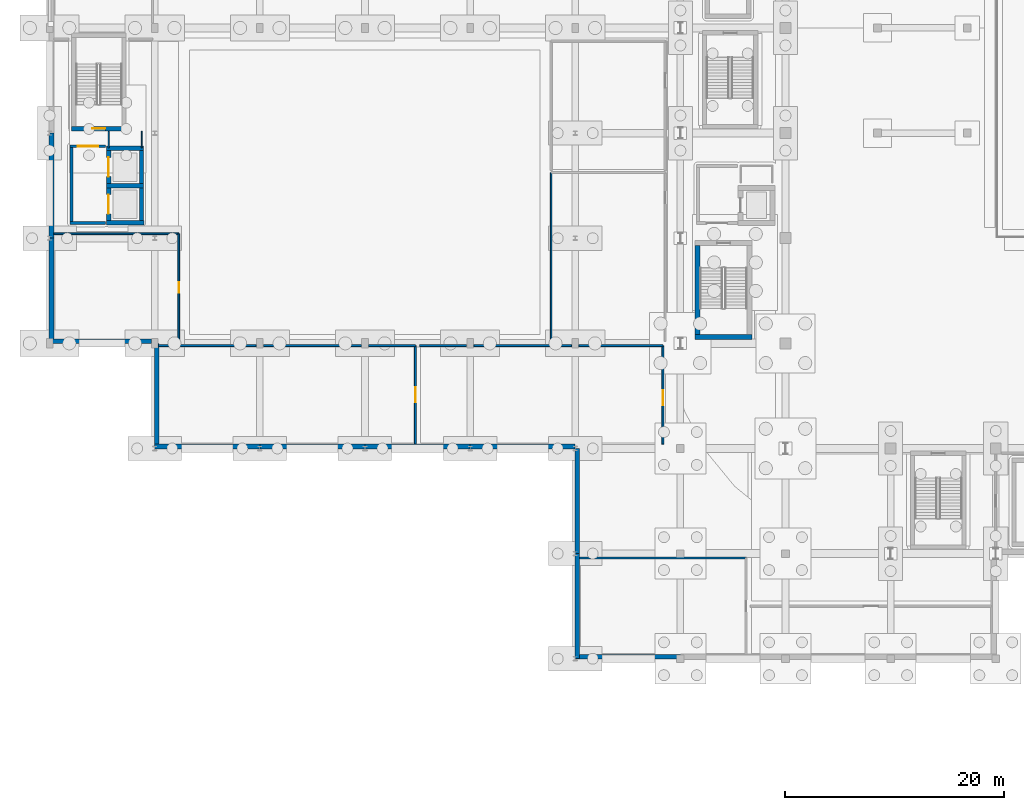
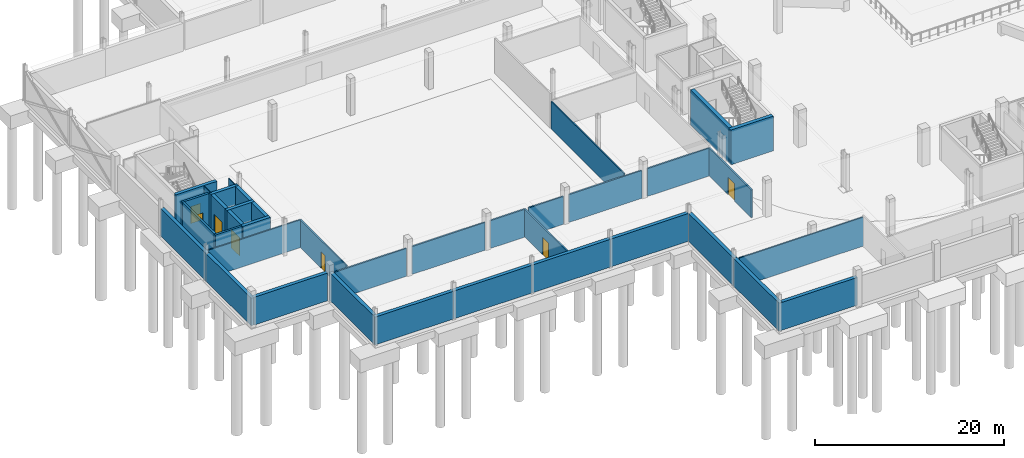
# One storey, part 26 of 67: 38 walls, 7 doors, 7 openings.
"""IFC4 building model written with IfcOpenShell, lengths in metres."""

from ifc_helpers import new_model, si_unit, direction, frame, frame_2d, origin, place, context, subcontext, project, spatial, rectangle, extrude, material, layer, layer_set, type_object, element, fill, save


model = new_model("IFC4")

# Units and contexts
model_context = context("Model", 3, precision=1e-05, world=origin(), true_north=direction((0.0, 1.0)))
body_context = subcontext(model_context, "Body", "Model", "MODEL_VIEW")
ifc_project = project(units=[si_unit("LENGTHUNIT", "METRE"), si_unit("AREAUNIT", "SQUARE_METRE"), si_unit("VOLUMEUNIT", "CUBIC_METRE"), si_unit("PLANEANGLEUNIT", "RADIAN"), si_unit("MASSUNIT", "GRAM", prefix="KILO")], contexts=[model_context])

# Site, building, storey
site_placement = place(None, origin())
site = spatial("IfcSite", under=ifc_project, at=site_placement, CompositionType="ELEMENT")
building_placement = place(site_placement, origin())
building = spatial("IfcBuilding", under=site, at=building_placement, Name="Caelomonte Colonnade Arena", CompositionType="ELEMENT")
storey_placement = place(building_placement, frame((0.0, 0.0, -4.800048828125)))
storey = spatial("IfcBuildingStorey", under=building, at=storey_placement, Name="B1", CompositionType="ELEMENT", Elevation=-4.800048828125)

# Walls
ifc_material_1 = material(Name="Concrete C40/50", Category="concrete")
ifc_layer_1 = layer(ifc_material_1, 0.419921875)
ifc_layer_set_1 = layer_set([ifc_layer_1], Name="Concrete C40/50")
wall_type_1 = type_object("IfcWallType", Name="ENV-WL-RET42", PredefinedType="USERDEFINED", material=ifc_layer_set_1)
wall_1_placement = place(storey_placement, frame((9.60009765625, 28.97998046875, 0.0), z_axis=(0.0, 0.0, 1.0), x_axis=(1.0, 0.0, 0.0)))
element("IfcWall", 1, at=wall_1_placement, inside=storey, type_object=wall_type_1, Name="B1 exterior retaining plinth wall EW-B1-0001", ObjectType="RETAINING WALL", PredefinedType="USERDEFINED", context=body_context, shape_type="SweptSolid", body=[
    extrude(rectangle(XDim=9.599853515625, YDim=0.419921875, at=frame_2d((4.7998046875, 0.0))), origin(), (0.0, 0.0, 1.0), 3.60009765625),
])
wall_2_placement = place(storey_placement, frame((19.199951171875, 28.97998046875, 0.0), z_axis=(0.0, 0.0, 1.0), x_axis=(1.0, 0.0, 0.0)))
element("IfcWall", 2, at=wall_2_placement, inside=storey, type_object=wall_type_1, Name="B1 exterior retaining plinth wall EW-B1-0002", ObjectType="RETAINING WALL", PredefinedType="USERDEFINED", context=body_context, shape_type="SweptSolid", body=[
    extrude(rectangle(XDim=9.60009765625, YDim=0.419921875, at=frame_2d((4.800048828125, 0.0))), origin(), (0.0, 0.0, 1.0), 3.60009765625),
])
wall_3_placement = place(storey_placement, frame((28.800048828125, 28.97998046875, 0.0), z_axis=(0.0, 0.0, 1.0), x_axis=(1.0, 0.0, 0.0)))
element("IfcWall", 3, at=wall_3_placement, inside=storey, type_object=wall_type_1, Name="B1 exterior retaining plinth wall EW-B1-0003", ObjectType="RETAINING WALL", PredefinedType="USERDEFINED", context=body_context, shape_type="SweptSolid", body=[
    extrude(rectangle(XDim=9.599853515625, YDim=0.419921875, at=frame_2d((4.7998046875, 0.0))), origin(), (0.0, 0.0, 1.0), 3.60009765625),
])
for number, where, z_axis, x_axis, name in (
    (4, (38.39990234375, 28.97998046875, 0.0), (0.0, 0.0, 1.0), (1.0, 0.0, 0.0), "B1 exterior retaining plinth wall EW-B1-0004"),
    (5, (48.179931640625, 28.800048828125, 0.0), (0.0, 0.0, 1.0), (0.0, -1.0, 0.0), "B1 exterior retaining plinth wall EW-B1-0005"),
):
    element("IfcWall", number, at=place(storey_placement, frame(where, z_axis=z_axis, x_axis=x_axis)), inside=storey, type_object=wall_type_1, Name=name, ObjectType="RETAINING WALL", PredefinedType="USERDEFINED", context=body_context, shape_type="SweptSolid", body=[
        extrude(rectangle(XDim=9.60009765625, YDim=0.419921875, at=frame_2d((4.800048828125, 0.0))), origin(), (0.0, 0.0, 1.0), 3.60009765625),
    ])
wall_4_placement = place(storey_placement, frame((48.179931640625, 19.199951171875, 0.0), z_axis=(0.0, 0.0, 1.0), x_axis=(0.0, -1.0, 0.0)))
element("IfcWall", 6, at=wall_4_placement, inside=storey, type_object=wall_type_1, Name="B1 exterior retaining plinth wall EW-B1-0006", ObjectType="RETAINING WALL", PredefinedType="USERDEFINED", context=body_context, shape_type="SweptSolid", body=[
    extrude(rectangle(XDim=9.599853515625, YDim=0.419921875, at=frame_2d((4.7998046875, 0.0))), origin(), (0.0, 0.0, 1.0), 3.60009765625),
])
wall_5_placement = place(storey_placement, frame((48.0, 9.780029296875, 0.0), z_axis=(0.0, 0.0, 1.0), x_axis=(1.0, 0.0, 0.0)))
element("IfcWall", 7, at=wall_5_placement, inside=storey, type_object=wall_type_1, Name="B1 exterior retaining plinth wall EW-B1-0007", ObjectType="RETAINING WALL", PredefinedType="USERDEFINED", context=body_context, shape_type="SweptSolid", body=[
    extrude(rectangle(XDim=9.60009765625, YDim=0.419921875, at=frame_2d((4.800048828125, 0.0))), origin(), (0.0, 0.0, 1.0), 3.60009765625),
])
for number, where, z_axis, x_axis, name in (
    (8, (0.179931640625, 57.60009765625, 0.0), (0.0, 0.0, 1.0), (0.0, -1.0, 0.0), "B1 exterior retaining plinth wall EW-B1-0082"),
    (9, (0.179931640625, 48.0, 0.0), (0.0, 0.0, 1.0), (0.0, -1.0, 0.0), "B1 exterior retaining plinth wall EW-B1-0083"),
):
    element("IfcWall", number, at=place(storey_placement, frame(where, z_axis=z_axis, x_axis=x_axis)), inside=storey, type_object=wall_type_1, Name=name, ObjectType="RETAINING WALL", PredefinedType="USERDEFINED", context=body_context, shape_type="SweptSolid", body=[
        extrude(rectangle(XDim=9.60009765625, YDim=0.419921875, at=frame_2d((4.800048828125, 0.0))), origin(), (0.0, 0.0, 1.0), 3.572998046875),
    ])
wall_6_placement = place(storey_placement, frame((0.280029296875, 38.580078125, 0.0), z_axis=(0.0, 0.0, 1.0), x_axis=(1.0, 0.0, 0.0)))
element("IfcWall", 10, at=wall_6_placement, inside=storey, type_object=wall_type_1, Name="B1 exterior retaining plinth wall EW-B1-0084", ObjectType="RETAINING WALL", PredefinedType="USERDEFINED", context=body_context, shape_type="SweptSolid", body=[
    extrude(rectangle(XDim=9.0400390625, YDim=0.419921875, at=frame_2d((4.52001953125, 0.0))), origin(), (0.0, 0.0, 1.0), 3.60009765625),
])
wall_7_placement = place(storey_placement, frame((9.780029296875, 38.39990234375, 0.0), z_axis=(0.0, 0.0, 1.0), x_axis=(0.0, -1.0, 0.0)))
element("IfcWall", 11, at=wall_7_placement, inside=storey, type_object=wall_type_1, Name="B1 exterior retaining plinth wall EW-B1-0085", ObjectType="RETAINING WALL", PredefinedType="USERDEFINED", context=body_context, shape_type="SweptSolid", body=[
    extrude(rectangle(XDim=9.599853515625, YDim=0.419921875, at=frame_2d((4.7998046875, 0.0))), origin(), (0.0, 0.0, 1.0), 3.60009765625),
])
ifc_layer_2 = layer(ifc_material_1, 0.260009765625)
ifc_layer_set_2 = layer_set([ifc_layer_2], Name="Concrete C40/50")
wall_type_2 = type_object("IfcWallType", Name="INT-WL-FW26", PredefinedType="SOLIDWALL", material=ifc_layer_set_2)
wall_8_placement = place(storey_placement, frame((1.8701171875, 49.39990234375, 0.0), z_axis=(0.0, 0.0, 1.0), x_axis=(1.0, 0.0, 0.0)))
element("IfcWall", 12, at=wall_8_placement, inside=storey, type_object=wall_type_2, Name="FW-C8-LB B1 south enclosure wall", PredefinedType="SOLIDWALL", context=body_context, shape_type="SweptSolid", body=[
    extrude(rectangle(XDim=3.259765625, YDim=0.260009765625, at=frame_2d((1.6298828125, 0.0))), origin(), (0.0, 0.0, 1.0), 4.5),
])

# Wall, opening, door
wall_9_placement = place(storey_placement, frame((5.1298828125, 56.39990234375, 0.0), z_axis=(0.0, 0.0, 1.0), x_axis=(-1.0, 0.0, 0.0)))
wall_9 = element("IfcWall", 13, at=wall_9_placement, inside=storey, type_object=wall_type_2, Name="FW-C8-LB B1 north enclosure wall", PredefinedType="SOLIDWALL", context=body_context, shape_type="SweptSolid", body=[
    extrude(rectangle(XDim=3.259765625, YDim=0.260009765625, at=frame_2d((1.6298828125, 0.0))), origin(), (0.0, 0.0, 1.0), 4.5),
])
opening_1_placement = place(wall_9_placement, frame((2.55517578125, 0.0, 0.0), z_axis=(0.0, 0.0, 1.0), x_axis=(-1.0, 0.0, 0.0)))
opening_1 = element("IfcOpeningElement", 14, at=opening_1_placement, cuts=wall_9, Name="Opening FD-2", PredefinedType="OPENING", context=body_context, shape_type="SweptSolid", body=[
    extrude(rectangle(XDim=1.85009765625, YDim=2.25, at=frame_2d((0.925048828125, 1.125))), frame((0.0, 0.139892578125, 0.0), z_axis=(0.0, -1.0, 0.0), x_axis=(1.0, 0.0, 0.0)), (0.0, 0.0, 1.0), 0.280029296875),
])
ifc_material_2 = material(Name="Fire-rated double steel door", Category="steel")
door_type_1 = type_object("IfcDoorType", Name="INT-DR-FD90B", OperationType="DOUBLE_DOOR_SINGLE_SWING", PredefinedType="DOOR", material=ifc_material_2)
door_1_placement = place(opening_1_placement, origin())
door_1 = element("IfcDoor", 15, at=door_1_placement, inside=storey, type_object=door_type_1, Name="Core C8 B1 lobby fire door", OperationType="DOUBLE_DOOR_SINGLE_SWING", OverallHeight=2.25, OverallWidth=1.85009765625, PredefinedType="DOOR", context=body_context, shape_type="SweptSolid", body=[
    extrude(rectangle(XDim=1.85009765625, YDim=2.25, at=frame_2d((0.925048828125, 1.125))), frame((0.0, 0.02490234375, 0.0), z_axis=(0.0, -1.0, 0.0), x_axis=(1.0, 0.0, 0.0)), (0.0, 0.0, 1.0), 0.050048828125),
])
fill(opening_1, door_1)

# Walls
wall_10_placement = place(storey_placement, frame((2.0, 56.27001953125, 0.0), z_axis=(0.0, 0.0, 1.0), x_axis=(0.0, -1.0, 0.0)))
element("IfcWall", 16, at=wall_10_placement, inside=storey, type_object=wall_type_2, Name="FW-C8-LB B1 west enclosure wall", PredefinedType="SOLIDWALL", context=body_context, shape_type="SweptSolid", body=[
    extrude(rectangle(XDim=6.739990234375, YDim=0.260009765625, at=frame_2d((3.3701171875, 0.0))), origin(), (0.0, 0.0, 1.0), 4.5),
])
ifc_material_3 = material(Name="Service shaft lining partition")
ifc_layer_3 = layer(ifc_material_3, 0.10009765625)
ifc_layer_set_3 = layer_set([ifc_layer_3], Name="Service shaft lining partition")
wall_type_3 = type_object("IfcWallType", Name="INT-WL-PT10", PredefinedType="PARTITIONING", material=ifc_layer_set_3)
for number, where, z_axis, x_axis, name in (
    (17, (5.39990234375, 57.75, 0.0), (0.0, 0.0, 1.0), (0.0, -1.0, 0.0), "FW-C8-RS B1 west enclosure wall"),
    (18, (8.39990234375, 56.25, 0.0), (0.0, 0.0, 1.0), (0.0, 1.0, 0.0), "FW-C8-RS B1 east enclosure wall"),
):
    element("IfcWall", number, at=place(storey_placement, frame(where, z_axis=z_axis, x_axis=x_axis)), inside=storey, type_object=wall_type_3, Name=name, PredefinedType="PARTITIONING", context=body_context, shape_type="SweptSolid", body=[
        extrude(rectangle(XDim=1.5, YDim=0.10009765625, at=frame_2d((0.75, 0.0))), origin(), (0.0, 0.0, 1.0), 4.5),
    ])
ifc_material_4 = material(Name="Suite demising stud partition")
ifc_layer_4 = layer(ifc_material_4, 0.139892578125)
ifc_layer_set_4 = layer_set([ifc_layer_4], Name="Suite demising stud partition")
wall_type_4 = type_object("IfcWallType", Name="INT-WL-PT14", PredefinedType="PARTITIONING", material=ifc_layer_set_4)
wall_11_placement = place(storey_placement, frame((45.800048828125, 38.60009765625, 0.0), z_axis=(0.0, 0.0, 1.0), x_axis=(0.0, 1.0, 0.0)))
element("IfcWall", 19, at=wall_11_placement, inside=storey, type_object=wall_type_4, Name="B1 Star Dressing Suite partition 55", PredefinedType="PARTITIONING", context=body_context, shape_type="SweptSolid", body=[
    extrude(rectangle(XDim=15.39990234375, YDim=0.139892578125, at=frame_2d((7.699951171875, 0.0))), origin(), (0.0, 0.0, 1.0), 3.60009765625),
])
ifc_material_5 = material(Name="Moisture-resistant WC partition")
ifc_layer_5 = layer(ifc_material_5, 0.159912109375)
ifc_layer_set_5 = layer_set([ifc_layer_5], Name="Moisture-resistant WC partition")
wall_type_5 = type_object("IfcWallType", Name="INT-WL-PT16", PredefinedType="PARTITIONING", material=ifc_layer_set_5)
wall_12_placement = place(storey_placement, frame((48.39990234375, 18.800048828125, 0.0), z_axis=(0.0, 0.0, 1.0), x_axis=(1.0, 0.0, 0.0)))
element("IfcWall", 20, at=wall_12_placement, inside=storey, type_object=wall_type_5, Name="B1 Staff Restroom partition 44", PredefinedType="PARTITIONING", context=body_context, shape_type="SweptSolid", body=[
    extrude(rectangle(XDim=15.2001953125, YDim=0.159912109375, at=frame_2d((7.60009765625, 0.0))), origin(), (0.0, 0.0, 1.0), 3.75),
])
wall_13_placement = place(storey_placement, frame((0.39990234375, 48.39990234375, 0.0), z_axis=(0.0, 0.0, 1.0), x_axis=(1.0, 0.0, 0.0)))
element("IfcWall", 21, at=wall_13_placement, inside=storey, type_object=wall_type_5, Name="B1 Athlete Shower and Restroom partition 61", PredefinedType="PARTITIONING", context=body_context, shape_type="SweptSolid", body=[
    extrude(rectangle(XDim=11.400146484375, YDim=0.159912109375, at=frame_2d((5.7001953125, 0.0))), origin(), (0.0, 0.0, 1.0), 3.60009765625),
])

# Wall, opening, door
wall_14_placement = place(storey_placement, frame((11.800048828125, 48.39990234375, 0.0), z_axis=(0.0, 0.0, 1.0), x_axis=(0.0, -1.0, 0.0)))
wall_14 = element("IfcWall", 22, at=wall_14_placement, inside=storey, type_object=wall_type_5, Name="B1 Athlete Shower and Restroom partition 62", PredefinedType="PARTITIONING", context=body_context, shape_type="SweptSolid", body=[
    extrude(rectangle(XDim=9.7998046875, YDim=0.159912109375, at=frame_2d((4.89990234375, 0.0))), origin(), (0.0, 0.0, 1.0), 3.60009765625),
])
opening_2_placement = place(wall_14_placement, frame((4.43994140625, 0.0, 0.0), z_axis=(0.0, 0.0, 1.0), x_axis=(1.0, 0.0, 0.0)))
opening_2 = element("IfcOpeningElement", 23, at=opening_2_placement, cuts=wall_14, Name="Opening D-B1-019", PredefinedType="OPENING", context=body_context, shape_type="SweptSolid", body=[
    extrude(rectangle(XDim=0.919921875, YDim=2.1201171875, at=frame_2d((0.4599609375, 1.06005859375))), frame((0.0, 0.08984375, 0.0), z_axis=(0.0, -1.0, 0.0), x_axis=(1.0, 0.0, 0.0)), (0.0, 0.0, 1.0), 0.179931640625),
])
ifc_material_6 = material(Name="Laminate restroom entrance door")
door_type_2 = type_object("IfcDoorType", Name="INT-DR-WC1", OperationType="NOTDEFINED", PredefinedType="DOOR", material=ifc_material_6)
door_2_placement = place(opening_2_placement, origin())
door_2 = element("IfcDoor", 24, at=door_2_placement, inside=storey, type_object=door_type_2, Name="B1 Athlete Shower and Restroom door D-B1-019", OperationType="SINGLE_SWING_RIGHT", OverallHeight=2.1201171875, OverallWidth=0.919921875, PredefinedType="DOOR", context=body_context, shape_type="SweptSolid", body=[
    extrude(rectangle(XDim=0.919921875, YDim=2.1201171875, at=frame_2d((0.4599609375, 1.06005859375))), frame((0.0, 0.02490234375, 0.0), z_axis=(0.0, -1.0, 0.0), x_axis=(1.0, 0.0, 0.0)), (0.0, 0.0, 1.0), 0.050048828125),
])
fill(opening_2, door_2)

# Walls
ifc_material_7 = material(Name="Acoustic gypsum stud partition")
ifc_layer_6 = layer(ifc_material_7, 0.179931640625)
ifc_layer_set_6 = layer_set([ifc_layer_6], Name="Acoustic gypsum stud partition")
wall_type_6 = type_object("IfcWallType", Name="INT-WL-PT18", PredefinedType="PARTITIONING", material=ifc_layer_set_6)
wall_15_placement = place(storey_placement, frame((9.93505859375, 38.199951171875, 0.0), z_axis=(0.0, 0.0, 1.0), x_axis=(1.0, 0.0, 0.0)))
element("IfcWall", 25, at=wall_15_placement, inside=storey, type_object=wall_type_6, Name="B1 Home Locker Room partition 47", PredefinedType="PARTITIONING", context=body_context, shape_type="SweptSolid", body=[
    extrude(rectangle(XDim=8.929931640625, YDim=0.179931640625, at=frame_2d((4.46484375, 0.0))), origin(), (0.0, 0.0, 1.0), 3.60009765625),
])
wall_16_placement = place(storey_placement, frame((19.534912109375, 38.199951171875, 0.0), z_axis=(0.0, 0.0, 1.0), x_axis=(1.0, 0.0, 0.0)))
element("IfcWall", 26, at=wall_16_placement, inside=storey, type_object=wall_type_6, Name="B1 Home Locker Room partition 48", PredefinedType="PARTITIONING", context=body_context, shape_type="SweptSolid", body=[
    extrude(rectangle(XDim=8.93017578125, YDim=0.179931640625, at=frame_2d((4.465087890625, 0.0))), origin(), (0.0, 0.0, 1.0), 3.60009765625),
])
wall_17_placement = place(storey_placement, frame((29.135009765625, 38.199951171875, 0.0), z_axis=(0.0, 0.0, 1.0), x_axis=(1.0, 0.0, 0.0)))
element("IfcWall", 27, at=wall_17_placement, inside=storey, type_object=wall_type_6, Name="B1 Home Locker Room partition 49", PredefinedType="PARTITIONING", context=body_context, shape_type="SweptSolid", body=[
    extrude(rectangle(XDim=4.264892578125, YDim=0.179931640625, at=frame_2d((2.13232421875, 0.0))), origin(), (0.0, 0.0, 1.0), 3.60009765625),
])

# Wall, opening, door
wall_18_placement = place(storey_placement, frame((33.39990234375, 38.199951171875, 0.0), z_axis=(0.0, 0.0, 1.0), x_axis=(0.0, -1.0, 0.0)))
wall_18 = element("IfcWall", 28, at=wall_18_placement, inside=storey, type_object=wall_type_6, Name="B1 Home Locker Room partition 50", PredefinedType="PARTITIONING", context=body_context, shape_type="SweptSolid", body=[
    extrude(rectangle(XDim=9.0, YDim=0.179931640625, at=frame_2d((4.5, 0.0))), origin(), (0.0, 0.0, 1.0), 3.60009765625),
])
opening_3_placement = place(wall_18_placement, frame((3.824951171875, 0.0, 0.0), z_axis=(0.0, 0.0, 1.0), x_axis=(1.0, 0.0, 0.0)))
opening_3 = element("IfcOpeningElement", 29, at=opening_3_placement, cuts=wall_18, Name="Opening D-B1-015", PredefinedType="OPENING", context=body_context, shape_type="SweptSolid", body=[
    extrude(rectangle(XDim=1.35009765625, YDim=2.25, at=frame_2d((0.675048828125, 1.125))), frame((0.0, 0.099853515625, 0.0), z_axis=(0.0, -1.0, 0.0), x_axis=(1.0, 0.0, 0.0)), (0.0, 0.0, 1.0), 0.199951171875),
])
ifc_material_8 = material(Name="Wide athlete locker suite door")
door_type_3 = type_object("IfcDoorType", Name="INT-DR-ATH", OperationType="NOTDEFINED", PredefinedType="DOOR", material=ifc_material_8)
door_3_placement = place(opening_3_placement, origin())
door_3 = element("IfcDoor", 30, at=door_3_placement, inside=storey, type_object=door_type_3, Name="B1 Home Locker Room door D-B1-015", OperationType="SINGLE_SWING_RIGHT", OverallHeight=2.25, OverallWidth=1.35009765625, PredefinedType="DOOR", context=body_context, shape_type="SweptSolid", body=[
    extrude(rectangle(XDim=1.35009765625, YDim=2.25, at=frame_2d((0.675048828125, 1.125))), frame((0.0, 0.02490234375, 0.0), z_axis=(0.0, -1.0, 0.0), x_axis=(1.0, 0.0, 0.0)), (0.0, 0.0, 1.0), 0.050048828125),
])
fill(opening_3, door_3)

# Wall
wall_19_placement = place(storey_placement, frame((48.3349609375, 38.199951171875, 0.0), z_axis=(0.0, 0.0, 1.0), x_axis=(1.0, 0.0, 0.0)))
element("IfcWall", 31, at=wall_19_placement, inside=storey, type_object=wall_type_6, Name="B1 Visitor Locker Room partition 51", PredefinedType="PARTITIONING", context=body_context, shape_type="SweptSolid", body=[
    extrude(rectangle(XDim=7.6650390625, YDim=0.179931640625, at=frame_2d((3.83251953125, 0.0))), origin(), (0.0, 0.0, 1.0), 3.60009765625),
])

# Wall, opening, door
wall_20_placement = place(storey_placement, frame((56.0, 38.199951171875, 0.0), z_axis=(0.0, 0.0, 1.0), x_axis=(0.0, -1.0, 0.0)))
wall_20 = element("IfcWall", 32, at=wall_20_placement, inside=storey, type_object=wall_type_6, Name="B1 Visitor Locker Room partition 52", PredefinedType="PARTITIONING", context=body_context, shape_type="SweptSolid", body=[
    extrude(rectangle(XDim=9.0, YDim=0.179931640625, at=frame_2d((4.5, 0.0))), origin(), (0.0, 0.0, 1.0), 3.60009765625),
])
opening_4_placement = place(wall_20_placement, frame((4.08740234375, 0.0, 0.0), z_axis=(0.0, 0.0, 1.0), x_axis=(1.0, 0.0, 0.0)))
opening_4 = element("IfcOpeningElement", 33, at=opening_4_placement, cuts=wall_20, Name="Opening D-B1-016", PredefinedType="OPENING", context=body_context, shape_type="SweptSolid", body=[
    extrude(rectangle(XDim=1.35009765625, YDim=2.25, at=frame_2d((0.675048828125, 1.125))), frame((0.0, 0.099853515625, 0.0), z_axis=(0.0, -1.0, 0.0), x_axis=(1.0, 0.0, 0.0)), (0.0, 0.0, 1.0), 0.199951171875),
])
door_4_placement = place(opening_4_placement, origin())
door_4 = element("IfcDoor", 34, at=door_4_placement, inside=storey, type_object=door_type_3, Name="B1 Visitor Locker Room door D-B1-016", OperationType="SINGLE_SWING_LEFT", OverallHeight=2.25, OverallWidth=1.35009765625, PredefinedType="DOOR", context=body_context, shape_type="SweptSolid", body=[
    extrude(rectangle(XDim=1.35009765625, YDim=2.25, at=frame_2d((0.675048828125, 1.125))), frame((0.0, 0.02490234375, 0.0), z_axis=(0.0, -1.0, 0.0), x_axis=(1.0, 0.0, 0.0)), (0.0, 0.0, 1.0), 0.050048828125),
])
fill(opening_4, door_4)

# Walls
wall_21_placement = place(storey_placement, frame((33.800048828125, 38.199951171875, 0.0), z_axis=(0.0, 0.0, 1.0), x_axis=(1.0, 0.0, 0.0)))
element("IfcWall", 35, at=wall_21_placement, inside=storey, type_object=wall_type_6, Name="B1 Visitor Locker Room partition 53", PredefinedType="PARTITIONING", context=body_context, shape_type="SweptSolid", body=[
    extrude(rectangle(XDim=4.264892578125, YDim=0.179931640625, at=frame_2d((2.13232421875, 0.0))), origin(), (0.0, 0.0, 1.0), 3.60009765625),
])
wall_22_placement = place(storey_placement, frame((38.735107421875, 38.199951171875, 0.0), z_axis=(0.0, 0.0, 1.0), x_axis=(1.0, 0.0, 0.0)))
element("IfcWall", 36, at=wall_22_placement, inside=storey, type_object=wall_type_6, Name="B1 Visitor Locker Room partition 54", PredefinedType="PARTITIONING", context=body_context, shape_type="SweptSolid", body=[
    extrude(rectangle(XDim=8.929931640625, YDim=0.179931640625, at=frame_2d((4.46484375, 0.0))), origin(), (0.0, 0.0, 1.0), 3.60009765625),
])

# Wall, opening, door
ifc_material_9 = material(Name="Concrete C50/60", Category="concrete")
ifc_layer_7 = layer(ifc_material_9, 0.39990234375)
ifc_layer_set_7 = layer_set([ifc_layer_7], Name="Concrete C50/60")
wall_type_7 = type_object("IfcWallType", Name="INT-WL-SH40", PredefinedType="SHEAR", material=ifc_layer_set_7)
wall_23_placement = place(storey_placement, frame((2.0, 58.0, 0.0), z_axis=(0.0, 0.0, 1.0), x_axis=(1.0, 0.0, 0.0)))
wall_23 = element("IfcWall", 37, at=wall_23_placement, inside=storey, type_object=wall_type_7, Name="CW-C8-ST B1 south enclosure wall", PredefinedType="SHEAR", context=body_context, shape_type="SweptSolid", body=[
    extrude(rectangle(XDim=5.0, YDim=0.39990234375, at=frame_2d((2.5, 0.0))), origin(), (0.0, 0.0, 1.0), 4.5),
])
opening_5_placement = place(wall_23_placement, frame((3.099853515625, 0.0, 0.0), z_axis=(0.0, 0.0, 1.0), x_axis=(-1.0, 0.0, 0.0)))
opening_5 = element("IfcOpeningElement", 38, at=opening_5_placement, cuts=wall_23, Name="Opening FD-1", PredefinedType="OPENING", context=body_context, shape_type="SweptSolid", body=[
    extrude(rectangle(XDim=1.199951171875, YDim=2.199951171875, at=frame_2d((0.60009765625, 1.10009765625))), frame((0.0, 0.2099609375, 0.0), z_axis=(0.0, -1.0, 0.0), x_axis=(1.0, 0.0, 0.0)), (0.0, 0.0, 1.0), 0.419921875),
])
ifc_material_10 = material(Name="Fire-rated steel door", Category="steel")
door_type_4 = type_object("IfcDoorType", Name="INT-DR-FD90A", OperationType="NOTDEFINED", PredefinedType="DOOR", material=ifc_material_10)
door_5_placement = place(opening_5_placement, origin())
door_5 = element("IfcDoor", 39, at=door_5_placement, inside=storey, type_object=door_type_4, Name="Core C8 B1 exit stair fire door", OperationType="SINGLE_SWING_RIGHT", OverallHeight=2.199951171875, OverallWidth=1.199951171875, PredefinedType="DOOR", context=body_context, shape_type="SweptSolid", body=[
    extrude(rectangle(XDim=1.199951171875, YDim=2.199951171875, at=frame_2d((0.60009765625, 1.10009765625))), frame((0.0, 0.02490234375, 0.0), z_axis=(0.0, -1.0, 0.0), x_axis=(1.0, 0.0, 0.0)), (0.0, 0.0, 1.0), 0.050048828125),
])
fill(opening_5, door_5)

# Walls
for number, where, z_axis, x_axis, name in (
    (40, (5.199951171875, 49.39990234375, 0.0), (0.0, 0.0, 1.0), (1.0, 0.0, 0.0), "CW-C8-LF B1 south enclosure wall"),
    (41, (8.60009765625, 52.800048828125, 0.0), (0.0, 0.0, 1.0), (-1.0, 0.0, 0.0), "CW-C8-LF B1 north enclosure wall"),
):
    element("IfcWall", number, at=place(storey_placement, frame(where, z_axis=z_axis, x_axis=x_axis)), inside=storey, type_object=wall_type_7, Name=name, PredefinedType="SHEAR", context=body_context, shape_type="SweptSolid", body=[
        extrude(rectangle(XDim=3.400146484375, YDim=0.39990234375, at=frame_2d((1.7001953125, 0.0))), origin(), (0.0, 0.0, 1.0), 4.5),
    ])

# Wall, opening, door
wall_24_placement = place(storey_placement, frame((5.39990234375, 52.60009765625, 0.0), z_axis=(0.0, 0.0, 1.0), x_axis=(0.0, -1.0, 0.0)))
wall_24 = element("IfcWall", 42, at=wall_24_placement, inside=storey, type_object=wall_type_7, Name="CW-C8-LF B1 west enclosure wall", PredefinedType="SHEAR", context=body_context, shape_type="SweptSolid", body=[
    extrude(rectangle(XDim=3.0, YDim=0.39990234375, at=frame_2d((1.5, 0.0))), origin(), (0.0, 0.0, 1.0), 4.5),
])
opening_6_placement = place(wall_24_placement, frame((0.625, 0.0, 0.0), z_axis=(0.0, 0.0, 1.0), x_axis=(1.0, 0.0, 0.0)))
opening_6 = element("IfcOpeningElement", 43, at=opening_6_placement, cuts=wall_24, Name="Opening LD-LF-07-B1", PredefinedType="OPENING", context=body_context, shape_type="SweptSolid", body=[
    extrude(rectangle(XDim=1.75, YDim=2.35009765625, at=frame_2d((0.875, 1.175048828125))), frame((0.0, 0.2099609375, 0.0), z_axis=(0.0, -1.0, 0.0), x_axis=(1.0, 0.0, 0.0)), (0.0, 0.0, 1.0), 0.419921875),
])
ifc_material_11 = material(Name="Goods lift sliding landing door")
door_type_5 = type_object("IfcDoorType", Name="INT-DR-LD3", OperationType="SLIDING_TO_LEFT", PredefinedType="DOOR", material=ifc_material_11)
door_6_placement = place(opening_6_placement, origin())
door_6 = element("IfcDoor", 44, at=door_6_placement, inside=storey, type_object=door_type_5, Name="Lift LF-07 B1 sliding landing door", OperationType="SLIDING_TO_LEFT", OverallHeight=2.35009765625, OverallWidth=1.75, PredefinedType="DOOR", context=body_context, shape_type="SweptSolid", body=[
    extrude(rectangle(XDim=1.75, YDim=2.35009765625, at=frame_2d((0.875, 1.175048828125))), frame((0.0, 0.02490234375, 0.0), z_axis=(0.0, -1.0, 0.0), x_axis=(1.0, 0.0, 0.0)), (0.0, 0.0, 1.0), 0.050048828125),
])
fill(opening_6, door_6)

# Walls
wall_25_placement = place(storey_placement, frame((8.39990234375, 49.60009765625, 0.0), z_axis=(0.0, 0.0, 1.0), x_axis=(0.0, 1.0, 0.0)))
element("IfcWall", 45, at=wall_25_placement, inside=storey, type_object=wall_type_7, Name="CW-C8-LF B1 east enclosure wall", PredefinedType="SHEAR", context=body_context, shape_type="SweptSolid", body=[
    extrude(rectangle(XDim=3.0, YDim=0.39990234375, at=frame_2d((1.5, 0.0))), origin(), (0.0, 0.0, 1.0), 4.5),
])
wall_26_placement = place(storey_placement, frame((8.60009765625, 56.199951171875, 0.0), z_axis=(0.0, 0.0, 1.0), x_axis=(-1.0, 0.0, 0.0)))
element("IfcWall", 46, at=wall_26_placement, inside=storey, type_object=wall_type_7, Name="CW-C8-LF2 B1 north enclosure wall", PredefinedType="SHEAR", context=body_context, shape_type="SweptSolid", body=[
    extrude(rectangle(XDim=3.400146484375, YDim=0.39990234375, at=frame_2d((1.7001953125, 0.0))), origin(), (0.0, 0.0, 1.0), 4.5),
])

# Wall, opening, door
wall_27_placement = place(storey_placement, frame((5.39990234375, 56.0, 0.0), z_axis=(0.0, 0.0, 1.0), x_axis=(0.0, -1.0, 0.0)))
wall_27 = element("IfcWall", 47, at=wall_27_placement, inside=storey, type_object=wall_type_7, Name="CW-C8-LF2 B1 west enclosure wall", PredefinedType="SHEAR", context=body_context, shape_type="SweptSolid", body=[
    extrude(rectangle(XDim=3.0, YDim=0.39990234375, at=frame_2d((1.5, 0.0))), origin(), (0.0, 0.0, 1.0), 4.5),
])
opening_7_placement = place(wall_27_placement, frame((0.625, 0.0, 0.0), z_axis=(0.0, 0.0, 1.0), x_axis=(1.0, 0.0, 0.0)))
opening_7 = element("IfcOpeningElement", 48, at=opening_7_placement, cuts=wall_27, Name="Opening LD-LF-08-B1", PredefinedType="OPENING", context=body_context, shape_type="SweptSolid", body=[
    extrude(rectangle(XDim=1.75, YDim=2.35009765625, at=frame_2d((0.875, 1.175048828125))), frame((0.0, 0.2099609375, 0.0), z_axis=(0.0, -1.0, 0.0), x_axis=(1.0, 0.0, 0.0)), (0.0, 0.0, 1.0), 0.419921875),
])
door_7_placement = place(opening_7_placement, origin())
door_7 = element("IfcDoor", 49, at=door_7_placement, inside=storey, type_object=door_type_5, Name="Lift LF-08 B1 sliding landing door", OperationType="SLIDING_TO_LEFT", OverallHeight=2.35009765625, OverallWidth=1.75, PredefinedType="DOOR", context=body_context, shape_type="SweptSolid", body=[
    extrude(rectangle(XDim=1.75, YDim=2.35009765625, at=frame_2d((0.875, 1.175048828125))), frame((0.0, 0.02490234375, 0.0), z_axis=(0.0, -1.0, 0.0), x_axis=(1.0, 0.0, 0.0)), (0.0, 0.0, 1.0), 0.050048828125),
])
fill(opening_7, door_7)

# Walls
wall_28_placement = place(storey_placement, frame((8.39990234375, 53.0, 0.0), z_axis=(0.0, 0.0, 1.0), x_axis=(0.0, 1.0, 0.0)))
element("IfcWall", 50, at=wall_28_placement, inside=storey, type_object=wall_type_7, Name="CW-C8-LF2 B1 east enclosure wall", PredefinedType="SHEAR", context=body_context, shape_type="SweptSolid", body=[
    extrude(rectangle(XDim=3.0, YDim=0.39990234375, at=frame_2d((1.5, 0.0))), origin(), (0.0, 0.0, 1.0), 4.5),
])
ifc_layer_8 = layer(ifc_material_9, 0.449951171875)
ifc_layer_set_8 = layer_set([ifc_layer_8], Name="Concrete C50/60")
wall_type_8 = type_object("IfcWallType", Name="INT-WL-SH45", PredefinedType="SHEAR", material=ifc_layer_set_8)
wall_29_placement = place(storey_placement, frame((58.949951171875, 38.97509765625, 0.0), z_axis=(0.0, 0.0, 1.0), x_axis=(1.0, 0.0, 0.0)))
element("IfcWall", 51, at=wall_29_placement, inside=storey, type_object=wall_type_8, Name="CW-C1-ST B1 south enclosure wall", PredefinedType="SHEAR", context=body_context, shape_type="SweptSolid", body=[
    extrude(rectangle(XDim=5.199951171875, YDim=0.449951171875, at=frame_2d((2.60009765625, 0.0))), origin(), (0.0, 0.0, 1.0), 4.5),
])
wall_30_placement = place(storey_placement, frame((59.175048828125, 47.35009765625, 0.0), z_axis=(0.0, 0.0, 1.0), x_axis=(0.0, -1.0, 0.0)))
element("IfcWall", 52, at=wall_30_placement, inside=storey, type_object=wall_type_8, Name="CW-C1-ST B1 west enclosure wall", PredefinedType="SHEAR", context=body_context, shape_type="SweptSolid", body=[
    extrude(rectangle(XDim=8.150146484375, YDim=0.449951171875, at=frame_2d((4.0751953125, 0.0))), origin(), (0.0, 0.0, 1.0), 4.5),
])

save(model, "model.ifc")
